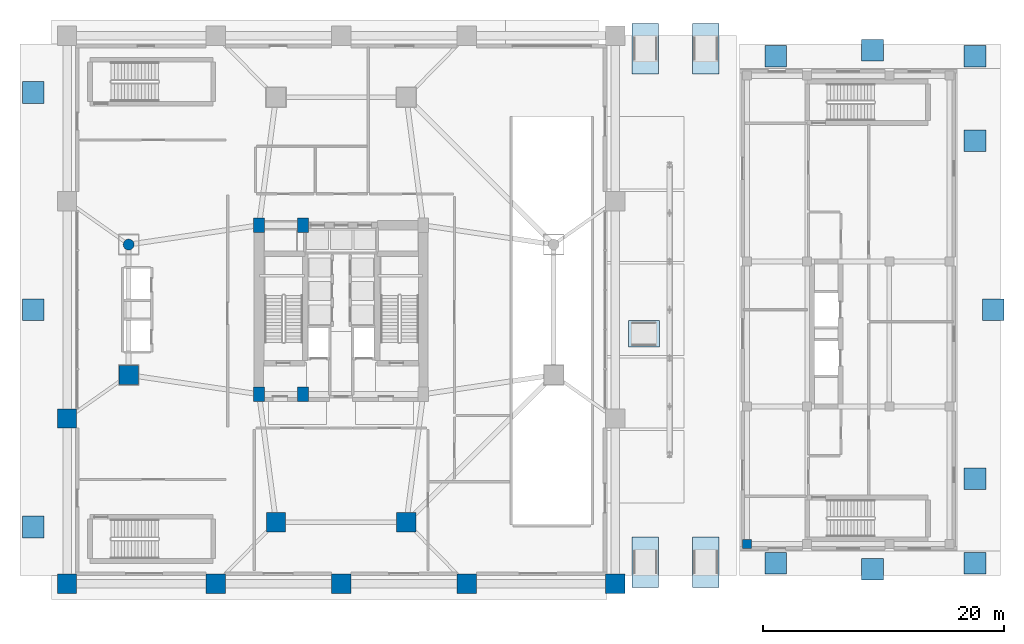
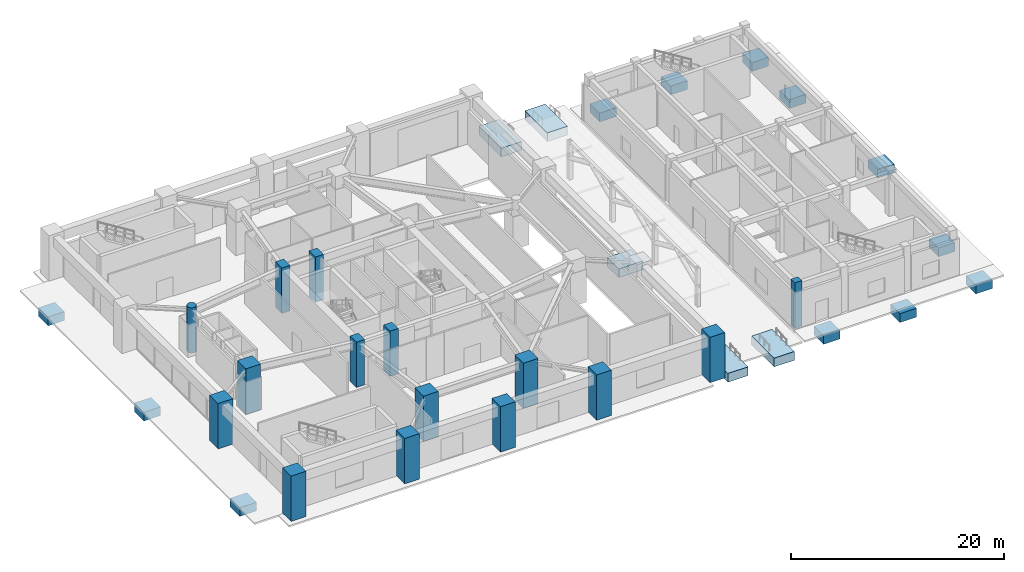
# One storey, part 1 of 27: 17 footings, 15 columns.
"""IFC4 building model written with IfcOpenShell, lengths in metres."""

from ifc_helpers import new_model, si_unit, direction, frame, origin, origin_2d, place, context, subcontext, project, spatial, rectangle, circle, extrude, source, transform, mapped, material, material_profile, profile_set, type_object, element, save


model = new_model("IFC4")

# Units and contexts
model_context = context("Model", 3, precision=1e-05, world=origin(), true_north=direction((0.0, 1.0)))
body_context = subcontext(model_context, "Body", "Model", "MODEL_VIEW")
ifc_project = project(units=[si_unit("LENGTHUNIT", "METRE"), si_unit("AREAUNIT", "SQUARE_METRE"), si_unit("VOLUMEUNIT", "CUBIC_METRE"), si_unit("PLANEANGLEUNIT", "RADIAN"), si_unit("MASSUNIT", "GRAM", prefix="KILO")], contexts=[model_context])

# Site, building, storey
site_placement = place(None, origin())
site = spatial("IfcSite", under=ifc_project, at=site_placement, CompositionType="ELEMENT")
building_placement = place(site_placement, origin())
building = spatial("IfcBuilding", under=site, at=building_placement, Name="Veraguas Prism Commons", CompositionType="ELEMENT")
storey_placement = place(building_placement, origin())
storey = spatial("IfcBuildingStorey", under=building, at=storey_placement, Name="L00", CompositionType="ELEMENT", Elevation=0.0)

# Footings
ifc_material_1 = material(Name="Concrete C45/55", Category="concrete")
footing_type = type_object("IfcFootingType", Name="Ramp Portal Pad Footing 2200x2200x1000", PredefinedType="PAD_FOOTING", material=ifc_material_1)
shared_shape_1 = source(origin(), body_context, "Body", "SweptSolid", [
    extrude(rectangle(XDim=2.199951171875, YDim=4.199951171875, at=origin_2d()), origin(), (0.0, 0.0, 1.0), 1.0),
])
for number, where, z_axis, x_axis, name in (
    (1, (49.199951171875, 3.080078125, -1.0), (0.0, 0.0, 1.0), (1.0, 0.0, 0.0), "Accessible Ramp Strip Footing ARF-01"),
    (2, (49.199951171875, 45.6201171875, -1.0), (0.0, 0.0, 1.0), (1.0, 0.0, 0.0), "Accessible Ramp Strip Footing ARF-02"),
    (3, (54.199951171875, 3.080078125, -1.0), (0.0, 0.0, 1.0), (1.0, 0.0, 0.0), "Accessible Ramp Strip Footing ARF-03"),
    (4, (54.199951171875, 45.6201171875, -1.0), (0.0, 0.0, 1.0), (1.0, 0.0, 0.0), "Accessible Ramp Strip Footing ARF-04"),
):
    element("IfcFooting", number, at=place(storey_placement, frame(where, z_axis=z_axis, x_axis=x_axis)), inside=storey, type_object=footing_type, Name=name, PredefinedType="PAD_FOOTING", context=body_context, shape_type="MappedRepresentation", body=[
        mapped(shared_shape_1, transform((0.0, 0.0, 0.0), scale=1.0)),
    ])
shared_shape_2 = source(origin(), body_context, "Body", "SweptSolid", [
    extrude(rectangle(XDim=2.60009765625, YDim=2.199951171875, at=origin_2d()), origin(), (0.0, 0.0, 1.0), 1.0),
])
footing_placement = place(storey_placement, frame((49.080078125, 22.0, -1.0), z_axis=(0.0, 0.0, 1.0), x_axis=(1.0, 0.0, 0.0)))
element("IfcFooting", 5, at=footing_placement, inside=storey, type_object=footing_type, Name="Accessible Ramp Strip Footing ARF-05", PredefinedType="PAD_FOOTING", context=body_context, shape_type="MappedRepresentation", body=[
    mapped(shared_shape_2, transform((0.0, 0.0, 0.0), scale=1.0)),
])
shared_shape_3 = source(origin(), body_context, "Body", "SweptSolid", [
    extrude(rectangle(XDim=1.800048828125, YDim=1.800048828125, at=origin_2d()), origin(), (0.0, 0.0, 1.0), 1.0),
])
for number, where, z_axis, x_axis, name in (
    (6, (-1.5, 6.0, -1.18994140625), (0.0, 0.0, 1.0), (1.0, 0.0, 0.0), "Promenade Grade Pad Footing SWF-01"),
    (7, (-1.5, 42.0, -1.18994140625), (0.0, 0.0, 1.0), (1.0, 0.0, 0.0), "Promenade Grade Pad Footing SWF-02"),
    (8, (-1.5, 24.0, -1.18994140625), (0.0, 0.0, 1.0), (1.0, 0.0, 0.0), "Promenade Grade Pad Footing SWF-03"),
    (9, (60.0, 3.0, -1.18994140625), (0.0, 0.0, 1.0), (1.0, 0.0, 0.0), "Promenade Grade Pad Footing SWF-04"),
    (10, (76.5, 3.0, -1.18994140625), (0.0, 0.0, 1.0), (1.0, 0.0, 0.0), "Promenade Grade Pad Footing SWF-05"),
    (11, (68.0, 2.5, -1.18994140625), (0.0, 0.0, 1.0), (1.0, 0.0, 0.0), "Promenade Grade Pad Footing SWF-06"),
    (12, (76.5, 10.0, -1.18994140625), (0.0, 0.0, 1.0), (1.0, 0.0, 0.0), "Promenade Grade Pad Footing SWF-07"),
    (13, (76.5, 38.0, -1.18994140625), (0.0, 0.0, 1.0), (1.0, 0.0, 0.0), "Promenade Grade Pad Footing SWF-08"),
    (14, (78.0, 24.0, -1.18994140625), (0.0, 0.0, 1.0), (1.0, 0.0, 0.0), "Promenade Grade Pad Footing SWF-09"),
    (15, (60.0, 45.0, -1.18994140625), (0.0, 0.0, 1.0), (1.0, 0.0, 0.0), "Promenade Grade Pad Footing SWF-10"),
    (16, (76.5, 45.0, -1.18994140625), (0.0, 0.0, 1.0), (1.0, 0.0, 0.0), "Promenade Grade Pad Footing SWF-11"),
    (17, (68.0, 45.5, -1.18994140625), (0.0, 0.0, 1.0), (1.0, 0.0, 0.0), "Promenade Grade Pad Footing SWF-12"),
):
    element("IfcFooting", number, at=place(storey_placement, frame(where, z_axis=z_axis, x_axis=x_axis)), inside=storey, type_object=footing_type, Name=name, PredefinedType="PAD_FOOTING", context=body_context, shape_type="MappedRepresentation", body=[
        mapped(shared_shape_3, transform((0.0, 0.0, 0.0), scale=1.0)),
    ])

# Columns
ifc_material_2 = material(Name="Concrete C50/60", Category="concrete")
ifc_material_profile_1 = material_profile(ifc_material_2, rectangle(XDim=0.75, YDim=0.75, at=origin_2d()), Name="RC750X750")
ifc_profile_set_1 = profile_set([ifc_material_profile_1], Name="Concrete C50/60")
column_type_1 = type_object("IfcColumnType", Name="Column Clinic RC 750x750", PredefinedType="COLUMN", material=ifc_profile_set_1)
column_1_placement = place(storey_placement, frame((57.60009765625, 4.60009765625, 0.0), z_axis=(0.0, 0.0, 1.0), x_axis=(1.0, 0.0, 0.0)))
element("IfcColumn", 18, at=column_1_placement, inside=storey, type_object=column_type_1, Name="Health Centre Column L00-HC01", PredefinedType="COLUMN", context=body_context, shape_type="SweptSolid", body=[
    extrude(rectangle(XDim=0.75, YDim=0.75, at=origin_2d()), origin(), (0.0, 0.0, 1.0), 5.199951171875),
])
ifc_material_3 = material(Name="Concrete C60/75", Category="concrete")
ifc_material_profile_2 = material_profile(ifc_material_3, circle(Radius=0.449951171875, at=origin_2d()), Name="RC900DIA")
ifc_profile_set_2 = profile_set([ifc_material_profile_2], Name="Concrete C60/75")
column_type_2 = type_object("IfcColumnType", Name="Column Concourse RC D900", PredefinedType="COLUMN", material=ifc_profile_set_2)
column_2_placement = place(storey_placement, frame((6.39990234375, 29.39990234375, 0.0), z_axis=(0.0, 0.0, 1.0), x_axis=(1.0, 0.0, 0.0)))
element("IfcColumn", 19, at=column_2_placement, inside=storey, type_object=column_type_2, Name="Tower Mega Column L00-TM05", PredefinedType="COLUMN", context=body_context, shape_type="SweptSolid", body=[
    extrude(circle(Radius=0.449951171875, at=origin_2d()), origin(), (0.0, 0.0, 1.0), 5.199951171875),
])
ifc_material_profile_3 = material_profile(ifc_material_3, rectangle(XDim=1.60009765625, YDim=1.60009765625, at=origin_2d()), Name="RC1600X1600")
ifc_profile_set_3 = profile_set([ifc_material_profile_3], Name="Concrete C60/75")
column_type_3 = type_object("IfcColumnType", Name="Column Mega RC 1600x1600", PredefinedType="COLUMN", material=ifc_profile_set_3)
for number, where, z_axis, x_axis, name in (
    (20, (1.300048828125, 1.300048828125, 0.0), (0.0, 0.0, 1.0), (1.0, 0.0, 0.0), "Podium Mega Column L00-PD01"),
    (21, (13.60009765625, 1.300048828125, 0.0), (0.0, 0.0, 1.0), (1.0, 0.0, 0.0), "Podium Mega Column L00-PD02"),
    (22, (24.0, 1.300048828125, 0.0), (0.0, 0.0, 1.0), (1.0, 0.0, 0.0), "Podium Mega Column L00-PD03"),
    (23, (34.39990234375, 1.300048828125, 0.0), (0.0, 0.0, 1.0), (1.0, 0.0, 0.0), "Podium Mega Column L00-PD04"),
    (24, (46.699951171875, 1.300048828125, 0.0), (0.0, 0.0, 1.0), (1.0, 0.0, 0.0), "Podium Mega Column L00-PD05"),
    (25, (1.300048828125, 15.0, 0.0), (0.0, 0.0, 1.0), (1.0, 0.0, 0.0), "Podium Mega Column L00-PD06"),
    (26, (6.39990234375, 18.60009765625, 0.0), (0.0, 0.0, 1.0), (1.0, 0.0, 0.0), "Tower Mega Column L00-TM06"),
    (27, (18.60009765625, 6.39990234375, 0.0), (0.0, 0.0, 1.0), (1.0, 0.0, 0.0), "Tower Mega Column L00-TM07"),
    (28, (29.39990234375, 6.39990234375, 0.0), (0.0, 0.0, 1.0), (1.0, 0.0, 0.0), "Tower Mega Column L00-TM08"),
):
    element("IfcColumn", number, at=place(storey_placement, frame(where, z_axis=z_axis, x_axis=x_axis)), inside=storey, type_object=column_type_3, Name=name, PredefinedType="COLUMN", context=body_context, shape_type="SweptSolid", body=[
        extrude(rectangle(XDim=1.60009765625, YDim=1.60009765625, at=origin_2d()), origin(), (0.0, 0.0, 1.0), 5.199951171875),
    ])
ifc_material_profile_4 = material_profile(ifc_material_3, rectangle(XDim=0.89990234375, YDim=1.199951171875, at=origin_2d()), Name="RC900X1200")
ifc_profile_set_4 = profile_set([ifc_material_profile_4], Name="Concrete C60/75")
column_type_4 = type_object("IfcColumnType", Name="Pilaster Core Lower RC 900x1200", PredefinedType="PILASTER", material=ifc_profile_set_4)
for number, where, z_axis, x_axis, name in (
    (29, (17.199951171875, 17.0, 0.0), (0.0, 0.0, 1.0), (1.0, 0.0, 0.0), "Core Pilaster Column L00-CR1"),
    (30, (20.85009765625, 17.0, 0.0), (0.0, 0.0, 1.0), (1.0, 0.0, 0.0), "Core Pilaster Column L00-CR2"),
    (31, (17.199951171875, 31.0, 0.0), (0.0, 0.0, 1.0), (1.0, 0.0, 0.0), "Core Pilaster Column L00-CR4"),
    (32, (20.85009765625, 31.0, 0.0), (0.0, 0.0, 1.0), (1.0, 0.0, 0.0), "Core Pilaster Column L00-CR5"),
):
    element("IfcColumn", number, at=place(storey_placement, frame(where, z_axis=z_axis, x_axis=x_axis)), inside=storey, type_object=column_type_4, Name=name, PredefinedType="PILASTER", context=body_context, shape_type="SweptSolid", body=[
        extrude(rectangle(XDim=0.89990234375, YDim=1.199951171875, at=origin_2d()), origin(), (0.0, 0.0, 1.0), 5.199951171875),
    ])

save(model, "model.ifc")
